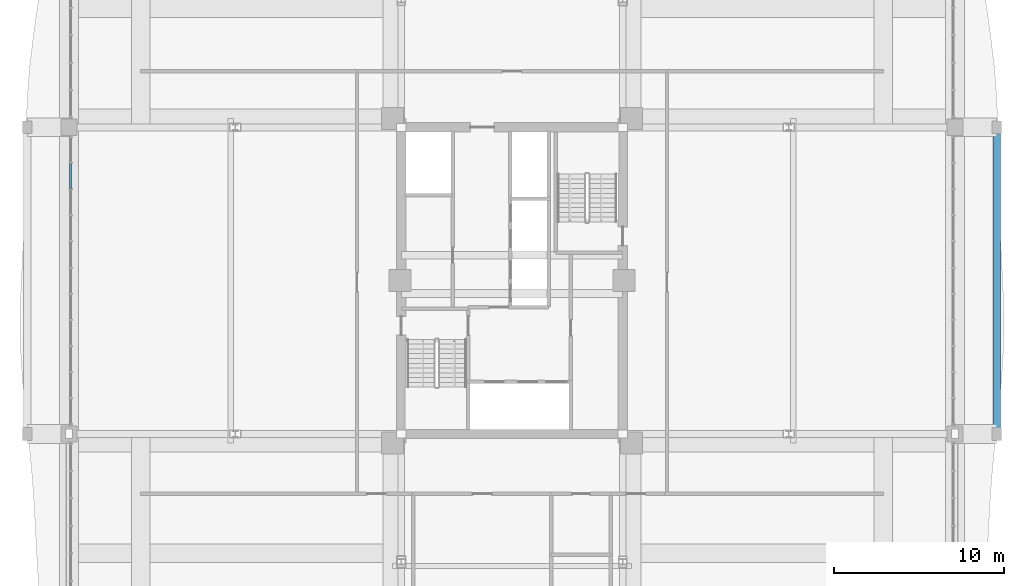
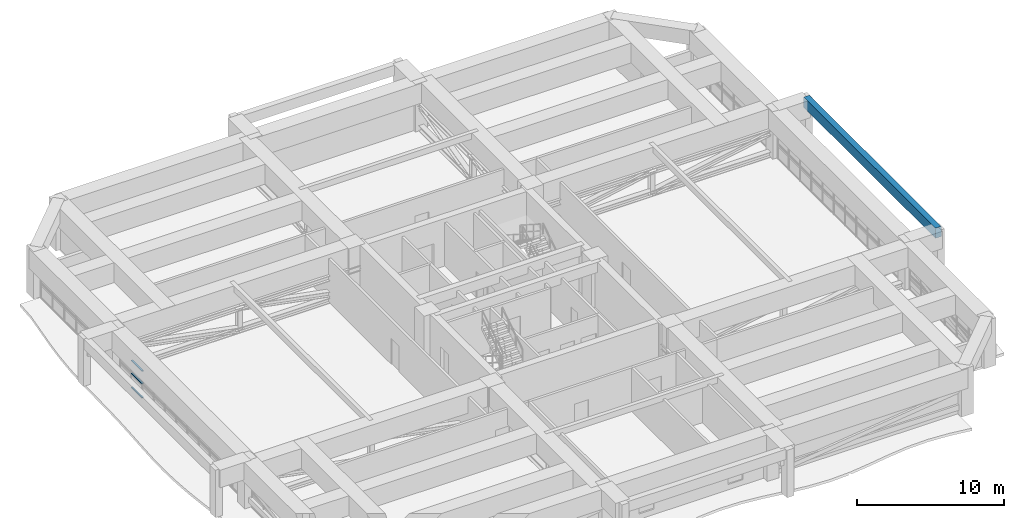
# One storey, part 18 of 35: 3 members, 1 beam, 1 element without a shape of its own.
"""IFC4 building model written with IfcOpenShell, lengths in metres."""

from ifc_helpers import new_model, si_unit, direction, frame, origin, origin_2d, place, context, subcontext, project, spatial, rectangle, hollow_rectangle, extrude, source, transform, mapped, material, layer, layer_set, material_profile, profile_set, type_object, element, aggregate, save


model = new_model("IFC4")

# Units and contexts
model_context = context("Model", 3, precision=1e-05, world=origin(), true_north=direction((0.0, 1.0)))
body_context = subcontext(model_context, "Body", "Model", "MODEL_VIEW")
ifc_project = project(units=[si_unit("LENGTHUNIT", "METRE"), si_unit("AREAUNIT", "SQUARE_METRE"), si_unit("VOLUMEUNIT", "CUBIC_METRE"), si_unit("PLANEANGLEUNIT", "RADIAN"), si_unit("MASSUNIT", "GRAM", prefix="KILO")], contexts=[model_context])

# Site, building, storey
site_placement = place(None, origin())
site = spatial("IfcSite", under=ifc_project, at=site_placement, CompositionType="ELEMENT")
building_placement = place(site_placement, origin())
building = spatial("IfcBuilding", under=site, at=building_placement, Name="Saelheon Loggia Tower", CompositionType="ELEMENT")
storey_placement = place(building_placement, frame((0.0, 0.0, 144.75)))
storey = spatial("IfcBuildingStorey", under=building, at=storey_placement, Name="L46", CompositionType="ELEMENT", Elevation=144.75)

# Beam
ifc_material_1 = material(Name="Precast Concrete C45/55", Category="concrete")
ifc_material_profile_1 = material_profile(ifc_material_1, rectangle(XDim=0.449951171875, YDim=0.85009765625, at=origin_2d()), Name="RC-450x850")
ifc_profile_set_1 = profile_set([ifc_material_profile_1], Name="Precast Concrete C45/55")
beam_type = type_object("IfcBeamType", Name="Beam_LoggiaSpandrel_RC450x850", PredefinedType="SPANDREL", material=ifc_profile_set_1)
shared_shape_1 = source(origin(), body_context, "Body", "SweptSolid", [
    extrude(rectangle(XDim=0.449951171875, YDim=0.85009765625, at=origin_2d()), origin(), (0.0, 0.0, 1.0), 18.0),
])
beam_placement = place(storey_placement, frame((66.449951171875, 18.0, 3.52490234375), z_axis=(0.0, 1.0, 0.0), x_axis=(-1.0, 0.0, 0.0)))
element("IfcBeam", 1, at=beam_placement, inside=storey, type_object=beam_type, Name="L46 Loggia Spandrel Beam E", PredefinedType="SPANDREL", context=body_context, shape_type="MappedRepresentation", body=[
    mapped(shared_shape_1, transform((0.0, 0.0, 0.0), scale=1.0)),
])

# Curtain wall, members
ifc_material_2 = material(Name="Anodised Aluminium Acoustic Louvre Curtain Wall", Category="aluminium")
ifc_layer = layer(ifc_material_2, 0.179931640625)
ifc_layer_set = layer_set([ifc_layer], Name="Anodised Aluminium Acoustic Louvre Curtain Wall")
curtain_wall_type = type_object("IfcCurtainWallType", Name="CW_RefugeAcoustic", PredefinedType="NOTDEFINED", material=ifc_layer_set)
curtain_wall_placement = place(storey_placement, origin())
curtain_wall = element("IfcCurtainWall", 2, at=curtain_wall_placement, inside=storey, type_object=curtain_wall_type, Name="L46 W Refuge Acoustic Curtain Wall 2", PredefinedType="NOTDEFINED")
ifc_material_3 = material(Name="Anodised Aluminium 6063-T6", Category="aluminium")
ifc_material_profile_2 = material_profile(ifc_material_3, hollow_rectangle(XDim=0.06494140625, YDim=0.139892578125, WallThickness=0.00390625, at=origin_2d()), Name="RHS-140x65x4")
ifc_profile_set_2 = profile_set([ifc_material_profile_2], Name="Anodised Aluminium 6063-T6")
member_type = type_object("IfcMemberType", Name="CW_RefugeAcoustic_Transom", PredefinedType="USERDEFINED", material=ifc_profile_set_2)
shared_shape_2 = source(origin(), body_context, "Body", "SweptSolid", [
    extrude(hollow_rectangle(XDim=0.06494140625, YDim=0.139892578125, WallThickness=0.00390625, at=origin_2d()), origin(), (0.0, 0.0, 1.0), 1.471435546875),
])
member_1_placement = place(storey_placement, frame((12.10009765625, 32.40966796875, 0.032470703125), z_axis=(0.0, 1.0, 0.0), x_axis=(0.0, 0.0, 1.0)))
member_1 = element("IfcMember", 3, at=member_1_placement, type_object=member_type, Name="CW5 transom 10.1", ObjectType="TRANSOM", PredefinedType="USERDEFINED", context=body_context, shape_type="MappedRepresentation", body=[
    mapped(shared_shape_2, transform((0.0, 0.0, 0.0), scale=1.0)),
])
member_2_placement = place(storey_placement, frame((12.10009765625, 32.40966796875, 1.199951171875), z_axis=(0.0, 1.0, 0.0), x_axis=(0.0, 0.0, 1.0)))
member_2 = element("IfcMember", 4, at=member_2_placement, type_object=member_type, Name="CW5 transom 10.2", ObjectType="TRANSOM", PredefinedType="USERDEFINED", context=body_context, shape_type="MappedRepresentation", body=[
    mapped(shared_shape_2, transform((0.0, 0.0, 0.0), scale=1.0)),
])
member_3_placement = place(storey_placement, frame((12.10009765625, 32.40966796875, 2.257568359375), z_axis=(0.0, 1.0, 0.0), x_axis=(0.0, 0.0, 1.0)))
member_3 = element("IfcMember", 5, at=member_3_placement, type_object=member_type, Name="CW5 transom 10.3", ObjectType="TRANSOM", PredefinedType="USERDEFINED", context=body_context, shape_type="MappedRepresentation", body=[
    mapped(shared_shape_2, transform((0.0, 0.0, 0.0), scale=1.0)),
])
aggregate(curtain_wall, [member_1, member_2, member_3])

save(model, "model.ifc")
